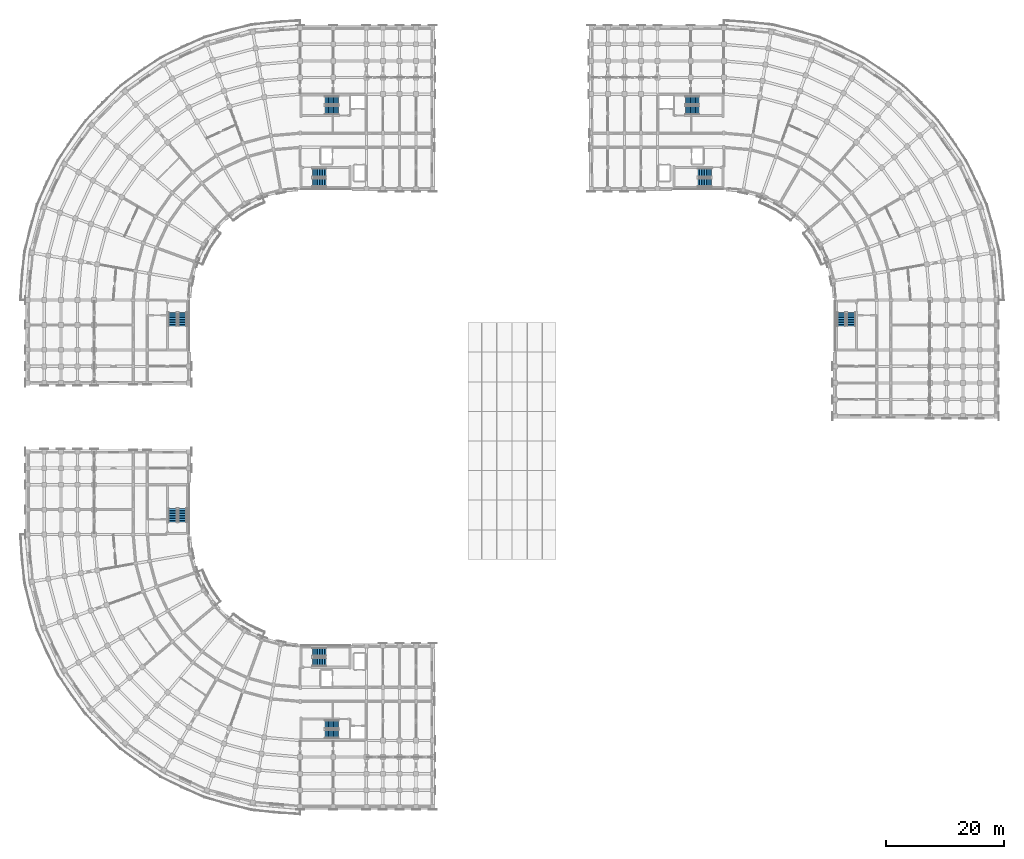
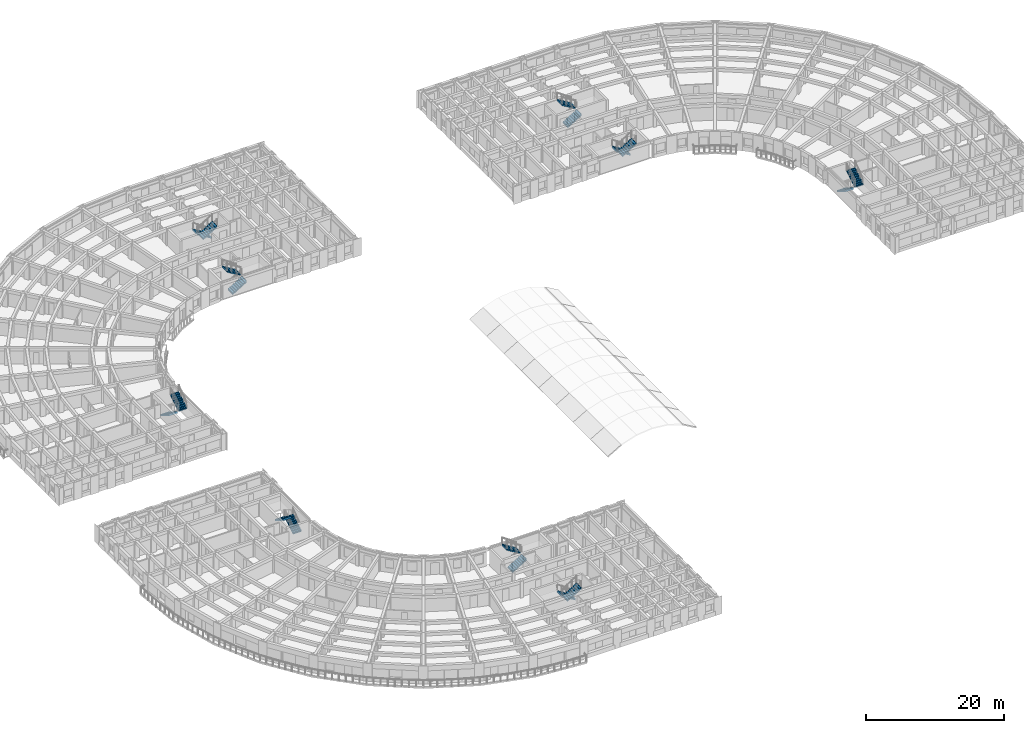
# One storey, part 37 of 54: 18 stair flights, 9 elements without a shape of their own.
"""IFC4 building model written with IfcOpenShell, lengths in metres."""

from ifc_helpers import new_model, si_unit, direction, frame, origin, place, context, subcontext, project, spatial, polyline, outline, extrude, material, type_object, element, aggregate, save


model = new_model("IFC4")

# Units and contexts
model_context = context("Model", 3, precision=1e-05, world=origin(), true_north=direction((0.0, 1.0)))
body_context = subcontext(model_context, "Body", "Model", "MODEL_VIEW")
ifc_project = project(units=[si_unit("LENGTHUNIT", "METRE"), si_unit("AREAUNIT", "SQUARE_METRE"), si_unit("VOLUMEUNIT", "CUBIC_METRE"), si_unit("PLANEANGLEUNIT", "RADIAN"), si_unit("MASSUNIT", "GRAM", prefix="KILO")], contexts=[model_context])

# Site, building, storey
site_placement = place(None, origin())
site = spatial("IfcSite", under=ifc_project, at=site_placement, CompositionType="ELEMENT")
building_placement = place(site_placement, origin())
building = spatial("IfcBuilding", under=site, at=building_placement, Name="Kiranvali Square Residences", CompositionType="ELEMENT")
storey_placement = place(building_placement, frame((0.0, 0.0, 15.0)))
storey = spatial("IfcBuildingStorey", under=building, at=storey_placement, Name="L04", CompositionType="ELEMENT", Elevation=15.0)

# Stair, stair flights
ifc_material = material(Name="Concrete M35 (35 MPa)", Category="concrete")
stair_type = type_object("IfcStairType", Name="ST-CORE-1700", PredefinedType="HALF_TURN_STAIR", material=ifc_material)
stair_1_placement = place(storey_placement, origin())
stair_1 = element("IfcStair", 1, at=stair_1_placement, inside=storey, type_object=stair_type, Name="L04 Block A Firefighting Exit Stair 1", PredefinedType="HALF_TURN_STAIR")
stair_flight_type = type_object("IfcStairFlightType", Name="STF-1700", PredefinedType="STRAIGHT", material=ifc_material)
stair_flight_1_placement = place(storey_placement, frame((54.699951171875, 121.52490234375, 0.0), z_axis=(0.0, 0.0, 1.0), x_axis=(-1.0, 0.0, 0.0)))
stair_flight_1 = element("IfcStairFlight", 2, at=stair_flight_1_placement, type_object=stair_flight_type, Name="ST-A1 flight 1", NumberOfRisers=9, NumberOfTreads=8, PredefinedType="STRAIGHT", RiserHeight=0.175, TreadLength=0.285, context=body_context, shape_type="SweptSolid", body=[
    extrude(outline(polyline([(-0.02001953125, -0.14990234375), (-0.02001953125, 0.0), (0.0, 0.0), (0.0, 0.175048828125), (0.284912109375, 0.175048828125), (0.284912109375, 0.35009765625), (0.570068359375, 0.35009765625), (0.570068359375, 0.52490234375), (0.85498046875, 0.52490234375), (0.85498046875, 0.699951171875), (1.139892578125, 0.699951171875), (1.139892578125, 0.875), (1.425048828125, 0.875), (1.425048828125, 1.050048828125), (1.7099609375, 1.050048828125), (1.7099609375, 1.22509765625), (1.9951171875, 1.22509765625), (1.9951171875, 1.39990234375), (2.280029296875, 1.39990234375), (2.280029296875, 1.574951171875), (2.300048828125, 1.574951171875), (2.300048828125, 1.22412109375), (2.280029296875, 1.22412109375), (0.0, -0.14990234375), (-0.02001953125, -0.14990234375)])), frame((0.0, 0.72509765625, 0.0), z_axis=(0.0, -1.0, 0.0), x_axis=(1.0, 0.0, 0.0)), (0.0, 0.0, 1.0), 1.449951171875),
])
stair_flight_2_placement = place(storey_placement, frame((52.419921875, 119.875, 1.574951171875), z_axis=(0.0, 0.0, 1.0), x_axis=(1.0, 0.0, 0.0)))
stair_flight_2 = element("IfcStairFlight", 3, at=stair_flight_2_placement, type_object=stair_flight_type, Name="ST-A1 flight 2", NumberOfRisers=9, NumberOfTreads=8, PredefinedType="STRAIGHT", RiserHeight=0.175, TreadLength=0.285, context=body_context, shape_type="SweptSolid", body=[
    extrude(outline(polyline([(-0.02001953125, -0.14990234375), (-0.02001953125, 0.0), (0.0, 0.0), (0.0, 0.175048828125), (0.284912109375, 0.175048828125), (0.284912109375, 0.35009765625), (0.570068359375, 0.35009765625), (0.570068359375, 0.52490234375), (0.85498046875, 0.52490234375), (0.85498046875, 0.699951171875), (1.139892578125, 0.699951171875), (1.139892578125, 0.875), (1.425048828125, 0.875), (1.425048828125, 1.050048828125), (1.7099609375, 1.050048828125), (1.7099609375, 1.22509765625), (1.9951171875, 1.22509765625), (1.9951171875, 1.39990234375), (2.280029296875, 1.39990234375), (2.280029296875, 1.574951171875), (2.300048828125, 1.574951171875), (2.300048828125, 1.22412109375), (2.280029296875, 1.22412109375), (0.0, -0.14990234375), (-0.02001953125, -0.14990234375)])), frame((0.0, 0.72509765625, 0.0), z_axis=(0.0, -1.0, 0.0), x_axis=(1.0, 0.0, 0.0)), (0.0, 0.0, 1.0), 1.449951171875),
])
aggregate(stair_1, [stair_flight_1, stair_flight_2])

stair_2_placement = place(storey_placement, origin())
stair_2 = element("IfcStair", 4, at=stair_2_placement, inside=storey, type_object=stair_type, Name="L04 Block A Protected Exit Stair 2", PredefinedType="HALF_TURN_STAIR")
stair_flight_3_placement = place(storey_placement, frame((50.300048828125, 107.675048828125, 0.0), z_axis=(0.0, 0.0, 1.0), x_axis=(1.0, 0.0, 0.0)))
stair_flight_3 = element("IfcStairFlight", 5, at=stair_flight_3_placement, type_object=stair_flight_type, Name="ST-A2 flight 1", NumberOfRisers=9, NumberOfTreads=8, PredefinedType="STRAIGHT", RiserHeight=0.175, TreadLength=0.285, context=body_context, shape_type="SweptSolid", body=[
    extrude(outline(polyline([(-0.02001953125, -0.14990234375), (-0.02001953125, 0.0), (0.0, 0.0), (0.0, 0.175048828125), (0.284912109375, 0.175048828125), (0.284912109375, 0.35009765625), (0.570068359375, 0.35009765625), (0.570068359375, 0.52490234375), (0.85498046875, 0.52490234375), (0.85498046875, 0.699951171875), (1.139892578125, 0.699951171875), (1.139892578125, 0.875), (1.425048828125, 0.875), (1.425048828125, 1.050048828125), (1.7099609375, 1.050048828125), (1.7099609375, 1.22509765625), (1.9951171875, 1.22509765625), (1.9951171875, 1.39990234375), (2.280029296875, 1.39990234375), (2.280029296875, 1.574951171875), (2.300048828125, 1.574951171875), (2.300048828125, 1.22412109375), (2.280029296875, 1.22412109375), (0.0, -0.14990234375), (-0.02001953125, -0.14990234375)])), frame((0.0, 0.72509765625, 0.0), z_axis=(0.0, -1.0, 0.0), x_axis=(1.0, 0.0, 0.0)), (0.0, 0.0, 1.0), 1.449951171875),
])
stair_flight_4_placement = place(storey_placement, frame((52.580078125, 109.324951171875, 1.574951171875), z_axis=(0.0, 0.0, 1.0), x_axis=(-1.0, 0.0, 0.0)))
stair_flight_4 = element("IfcStairFlight", 6, at=stair_flight_4_placement, type_object=stair_flight_type, Name="ST-A2 flight 2", NumberOfRisers=9, NumberOfTreads=8, PredefinedType="STRAIGHT", RiserHeight=0.175, TreadLength=0.285, context=body_context, shape_type="SweptSolid", body=[
    extrude(outline(polyline([(-0.02001953125, -0.14990234375), (-0.02001953125, 0.0), (0.0, 0.0), (0.0, 0.175048828125), (0.284912109375, 0.175048828125), (0.284912109375, 0.35009765625), (0.570068359375, 0.35009765625), (0.570068359375, 0.52490234375), (0.85498046875, 0.52490234375), (0.85498046875, 0.699951171875), (1.139892578125, 0.699951171875), (1.139892578125, 0.875), (1.425048828125, 0.875), (1.425048828125, 1.050048828125), (1.7099609375, 1.050048828125), (1.7099609375, 1.22509765625), (1.9951171875, 1.22509765625), (1.9951171875, 1.39990234375), (2.280029296875, 1.39990234375), (2.280029296875, 1.574951171875), (2.300048828125, 1.574951171875), (2.300048828125, 1.22412109375), (2.280029296875, 1.22412109375), (0.0, -0.14990234375), (-0.02001953125, -0.14990234375)])), frame((0.0, 0.72509765625, 0.0), z_axis=(0.0, -1.0, 0.0), x_axis=(1.0, 0.0, 0.0)), (0.0, 0.0, 1.0), 1.449951171875),
])
aggregate(stair_2, [stair_flight_3, stair_flight_4])

stair_3_placement = place(storey_placement, origin())
stair_3 = element("IfcStair", 7, at=stair_3_placement, inside=storey, type_object=stair_type, Name="L04 Block A Wing Protected Exit Stair 3", PredefinedType="HALF_TURN_STAIR")
stair_flight_5_placement = place(storey_placement, frame((26.675048828125, 85.699951171875, 0.0), z_axis=(0.0, 0.0, 1.0), x_axis=(0.0, -1.0, 0.0)))
stair_flight_5 = element("IfcStairFlight", 8, at=stair_flight_5_placement, type_object=stair_flight_type, Name="ST-A3 flight 1", NumberOfRisers=9, NumberOfTreads=8, PredefinedType="STRAIGHT", RiserHeight=0.175, TreadLength=0.285, context=body_context, shape_type="SweptSolid", body=[
    extrude(outline(polyline([(-0.02001953125, -0.14990234375), (-0.02001953125, 0.0), (0.0, 0.0), (0.0, 0.175048828125), (0.284912109375, 0.175048828125), (0.284912109375, 0.35009765625), (0.570068359375, 0.35009765625), (0.570068359375, 0.52490234375), (0.85498046875, 0.52490234375), (0.85498046875, 0.699951171875), (1.139892578125, 0.699951171875), (1.139892578125, 0.875), (1.425048828125, 0.875), (1.425048828125, 1.050048828125), (1.7099609375, 1.050048828125), (1.7099609375, 1.22509765625), (1.9951171875, 1.22509765625), (1.9951171875, 1.39990234375), (2.280029296875, 1.39990234375), (2.280029296875, 1.574951171875), (2.300048828125, 1.574951171875), (2.300048828125, 1.22412109375), (2.280029296875, 1.22412109375), (0.0, -0.14990234375), (-0.02001953125, -0.14990234375)])), frame((0.0, 0.72509765625, 0.0), z_axis=(0.0, -1.0, 0.0), x_axis=(1.0, 0.0, 0.0)), (0.0, 0.0, 1.0), 1.449951171875),
])
stair_flight_6_placement = place(storey_placement, frame((28.324951171875, 83.419921875, 1.574951171875), z_axis=(0.0, 0.0, 1.0), x_axis=(0.0, 1.0, 0.0)))
stair_flight_6 = element("IfcStairFlight", 9, at=stair_flight_6_placement, type_object=stair_flight_type, Name="ST-A3 flight 2", NumberOfRisers=9, NumberOfTreads=8, PredefinedType="STRAIGHT", RiserHeight=0.175, TreadLength=0.285, context=body_context, shape_type="SweptSolid", body=[
    extrude(outline(polyline([(-0.02001953125, -0.14990234375), (-0.02001953125, 0.0), (0.0, 0.0), (0.0, 0.175048828125), (0.284912109375, 0.175048828125), (0.284912109375, 0.35009765625), (0.570068359375, 0.35009765625), (0.570068359375, 0.52490234375), (0.85498046875, 0.52490234375), (0.85498046875, 0.699951171875), (1.139892578125, 0.699951171875), (1.139892578125, 0.875), (1.425048828125, 0.875), (1.425048828125, 1.050048828125), (1.7099609375, 1.050048828125), (1.7099609375, 1.22509765625), (1.9951171875, 1.22509765625), (1.9951171875, 1.39990234375), (2.280029296875, 1.39990234375), (2.280029296875, 1.574951171875), (2.300048828125, 1.574951171875), (2.300048828125, 1.22412109375), (2.280029296875, 1.22412109375), (0.0, -0.14990234375), (-0.02001953125, -0.14990234375)])), frame((0.0, 0.72509765625, 0.0), z_axis=(0.0, -1.0, 0.0), x_axis=(1.0, 0.0, 0.0)), (0.0, 0.0, 1.0), 1.449951171875),
])
aggregate(stair_3, [stair_flight_5, stair_flight_6])

stair_4_placement = place(storey_placement, origin())
stair_4 = element("IfcStair", 10, at=stair_4_placement, inside=storey, type_object=stair_type, Name="L04 Block B Firefighting Exit Stair 1", PredefinedType="HALF_TURN_STAIR")
stair_flight_7_placement = place(storey_placement, frame((113.300048828125, 119.875, 0.0), z_axis=(0.0, 0.0, 1.0), x_axis=(1.0, 0.0, 0.0)))
stair_flight_7 = element("IfcStairFlight", 11, at=stair_flight_7_placement, type_object=stair_flight_type, Name="ST-B1 flight 1", NumberOfRisers=9, NumberOfTreads=8, PredefinedType="STRAIGHT", RiserHeight=0.175, TreadLength=0.285, context=body_context, shape_type="SweptSolid", body=[
    extrude(outline(polyline([(-0.02001953125, -0.14990234375), (-0.02001953125, 0.0), (0.0, 0.0), (0.0, 0.175048828125), (0.284912109375, 0.175048828125), (0.284912109375, 0.35009765625), (0.570068359375, 0.35009765625), (0.570068359375, 0.52490234375), (0.85498046875, 0.52490234375), (0.85498046875, 0.699951171875), (1.139892578125, 0.699951171875), (1.139892578125, 0.875), (1.425048828125, 0.875), (1.425048828125, 1.050048828125), (1.7099609375, 1.050048828125), (1.7099609375, 1.22509765625), (1.9951171875, 1.22509765625), (1.9951171875, 1.39990234375), (2.280029296875, 1.39990234375), (2.280029296875, 1.574951171875), (2.300048828125, 1.574951171875), (2.300048828125, 1.22412109375), (2.280029296875, 1.22412109375), (0.0, -0.14990234375), (-0.02001953125, -0.14990234375)])), frame((0.0, 0.72509765625, 0.0), z_axis=(0.0, -1.0, 0.0), x_axis=(1.0, 0.0, 0.0)), (0.0, 0.0, 1.0), 1.449951171875),
])
stair_flight_8_placement = place(storey_placement, frame((115.580078125, 121.52490234375, 1.574951171875), z_axis=(0.0, 0.0, 1.0), x_axis=(-1.0, 0.0, 0.0)))
stair_flight_8 = element("IfcStairFlight", 12, at=stair_flight_8_placement, type_object=stair_flight_type, Name="ST-B1 flight 2", NumberOfRisers=9, NumberOfTreads=8, PredefinedType="STRAIGHT", RiserHeight=0.175, TreadLength=0.285, context=body_context, shape_type="SweptSolid", body=[
    extrude(outline(polyline([(-0.02001953125, -0.14990234375), (-0.02001953125, 0.0), (0.0, 0.0), (0.0, 0.175048828125), (0.284912109375, 0.175048828125), (0.284912109375, 0.35009765625), (0.570068359375, 0.35009765625), (0.570068359375, 0.52490234375), (0.85498046875, 0.52490234375), (0.85498046875, 0.699951171875), (1.139892578125, 0.699951171875), (1.139892578125, 0.875), (1.425048828125, 0.875), (1.425048828125, 1.050048828125), (1.7099609375, 1.050048828125), (1.7099609375, 1.22509765625), (1.9951171875, 1.22509765625), (1.9951171875, 1.39990234375), (2.280029296875, 1.39990234375), (2.280029296875, 1.574951171875), (2.300048828125, 1.574951171875), (2.300048828125, 1.22412109375), (2.280029296875, 1.22412109375), (0.0, -0.14990234375), (-0.02001953125, -0.14990234375)])), frame((0.0, 0.72509765625, 0.0), z_axis=(0.0, -1.0, 0.0), x_axis=(1.0, 0.0, 0.0)), (0.0, 0.0, 1.0), 1.449951171875),
])
aggregate(stair_4, [stair_flight_7, stair_flight_8])

stair_5_placement = place(storey_placement, origin())
stair_5 = element("IfcStair", 13, at=stair_5_placement, inside=storey, type_object=stair_type, Name="L04 Block B Protected Exit Stair 2", PredefinedType="HALF_TURN_STAIR")
stair_flight_9_placement = place(storey_placement, frame((117.699951171875, 109.324951171875, 0.0), z_axis=(0.0, 0.0, 1.0), x_axis=(-1.0, 0.0, 0.0)))
stair_flight_9 = element("IfcStairFlight", 14, at=stair_flight_9_placement, type_object=stair_flight_type, Name="ST-B2 flight 1", NumberOfRisers=9, NumberOfTreads=8, PredefinedType="STRAIGHT", RiserHeight=0.175, TreadLength=0.285, context=body_context, shape_type="SweptSolid", body=[
    extrude(outline(polyline([(-0.02001953125, -0.14990234375), (-0.02001953125, 0.0), (0.0, 0.0), (0.0, 0.175048828125), (0.284912109375, 0.175048828125), (0.284912109375, 0.35009765625), (0.570068359375, 0.35009765625), (0.570068359375, 0.52490234375), (0.85498046875, 0.52490234375), (0.85498046875, 0.699951171875), (1.139892578125, 0.699951171875), (1.139892578125, 0.875), (1.425048828125, 0.875), (1.425048828125, 1.050048828125), (1.7099609375, 1.050048828125), (1.7099609375, 1.22509765625), (1.9951171875, 1.22509765625), (1.9951171875, 1.39990234375), (2.280029296875, 1.39990234375), (2.280029296875, 1.574951171875), (2.300048828125, 1.574951171875), (2.300048828125, 1.22412109375), (2.280029296875, 1.22412109375), (0.0, -0.14990234375), (-0.02001953125, -0.14990234375)])), frame((0.0, 0.72509765625, 0.0), z_axis=(0.0, -1.0, 0.0), x_axis=(1.0, 0.0, 0.0)), (0.0, 0.0, 1.0), 1.449951171875),
])
stair_flight_10_placement = place(storey_placement, frame((115.419921875, 107.675048828125, 1.574951171875), z_axis=(0.0, 0.0, 1.0), x_axis=(1.0, 0.0, 0.0)))
stair_flight_10 = element("IfcStairFlight", 15, at=stair_flight_10_placement, type_object=stair_flight_type, Name="ST-B2 flight 2", NumberOfRisers=9, NumberOfTreads=8, PredefinedType="STRAIGHT", RiserHeight=0.175, TreadLength=0.285, context=body_context, shape_type="SweptSolid", body=[
    extrude(outline(polyline([(-0.02001953125, -0.14990234375), (-0.02001953125, 0.0), (0.0, 0.0), (0.0, 0.175048828125), (0.284912109375, 0.175048828125), (0.284912109375, 0.35009765625), (0.570068359375, 0.35009765625), (0.570068359375, 0.52490234375), (0.85498046875, 0.52490234375), (0.85498046875, 0.699951171875), (1.139892578125, 0.699951171875), (1.139892578125, 0.875), (1.425048828125, 0.875), (1.425048828125, 1.050048828125), (1.7099609375, 1.050048828125), (1.7099609375, 1.22509765625), (1.9951171875, 1.22509765625), (1.9951171875, 1.39990234375), (2.280029296875, 1.39990234375), (2.280029296875, 1.574951171875), (2.300048828125, 1.574951171875), (2.300048828125, 1.22412109375), (2.280029296875, 1.22412109375), (0.0, -0.14990234375), (-0.02001953125, -0.14990234375)])), frame((0.0, 0.72509765625, 0.0), z_axis=(0.0, -1.0, 0.0), x_axis=(1.0, 0.0, 0.0)), (0.0, 0.0, 1.0), 1.449951171875),
])
aggregate(stair_5, [stair_flight_9, stair_flight_10])

stair_6_placement = place(storey_placement, origin())
stair_6 = element("IfcStair", 16, at=stair_6_placement, inside=storey, type_object=stair_type, Name="L04 Block B Wing Protected Exit Stair 3", PredefinedType="HALF_TURN_STAIR")
stair_flight_11_placement = place(storey_placement, frame((139.675048828125, 85.699951171875, 0.0), z_axis=(0.0, 0.0, 1.0), x_axis=(0.0, -1.0, 0.0)))
stair_flight_11 = element("IfcStairFlight", 17, at=stair_flight_11_placement, type_object=stair_flight_type, Name="ST-B3 flight 1", NumberOfRisers=9, NumberOfTreads=8, PredefinedType="STRAIGHT", RiserHeight=0.175, TreadLength=0.285, context=body_context, shape_type="SweptSolid", body=[
    extrude(outline(polyline([(-0.02001953125, -0.14990234375), (-0.02001953125, 0.0), (0.0, 0.0), (0.0, 0.175048828125), (0.284912109375, 0.175048828125), (0.284912109375, 0.35009765625), (0.570068359375, 0.35009765625), (0.570068359375, 0.52490234375), (0.85498046875, 0.52490234375), (0.85498046875, 0.699951171875), (1.139892578125, 0.699951171875), (1.139892578125, 0.875), (1.425048828125, 0.875), (1.425048828125, 1.050048828125), (1.7099609375, 1.050048828125), (1.7099609375, 1.22509765625), (1.9951171875, 1.22509765625), (1.9951171875, 1.39990234375), (2.280029296875, 1.39990234375), (2.280029296875, 1.574951171875), (2.300048828125, 1.574951171875), (2.300048828125, 1.22412109375), (2.280029296875, 1.22412109375), (0.0, -0.14990234375), (-0.02001953125, -0.14990234375)])), frame((0.0, 0.72509765625, 0.0), z_axis=(0.0, -1.0, 0.0), x_axis=(1.0, 0.0, 0.0)), (0.0, 0.0, 1.0), 1.449951171875),
])
stair_flight_12_placement = place(storey_placement, frame((141.324951171875, 83.419921875, 1.574951171875), z_axis=(0.0, 0.0, 1.0), x_axis=(0.0, 1.0, 0.0)))
stair_flight_12 = element("IfcStairFlight", 18, at=stair_flight_12_placement, type_object=stair_flight_type, Name="ST-B3 flight 2", NumberOfRisers=9, NumberOfTreads=8, PredefinedType="STRAIGHT", RiserHeight=0.175, TreadLength=0.285, context=body_context, shape_type="SweptSolid", body=[
    extrude(outline(polyline([(-0.02001953125, -0.14990234375), (-0.02001953125, 0.0), (0.0, 0.0), (0.0, 0.175048828125), (0.284912109375, 0.175048828125), (0.284912109375, 0.35009765625), (0.570068359375, 0.35009765625), (0.570068359375, 0.52490234375), (0.85498046875, 0.52490234375), (0.85498046875, 0.699951171875), (1.139892578125, 0.699951171875), (1.139892578125, 0.875), (1.425048828125, 0.875), (1.425048828125, 1.050048828125), (1.7099609375, 1.050048828125), (1.7099609375, 1.22509765625), (1.9951171875, 1.22509765625), (1.9951171875, 1.39990234375), (2.280029296875, 1.39990234375), (2.280029296875, 1.574951171875), (2.300048828125, 1.574951171875), (2.300048828125, 1.22412109375), (2.280029296875, 1.22412109375), (0.0, -0.14990234375), (-0.02001953125, -0.14990234375)])), frame((0.0, 0.72509765625, 0.0), z_axis=(0.0, -1.0, 0.0), x_axis=(1.0, 0.0, 0.0)), (0.0, 0.0, 1.0), 1.449951171875),
])
aggregate(stair_6, [stair_flight_11, stair_flight_12])

stair_7_placement = place(storey_placement, origin())
stair_7 = element("IfcStair", 19, at=stair_7_placement, inside=storey, type_object=stair_type, Name="L04 Block C Firefighting Exit Stair 1", PredefinedType="HALF_TURN_STAIR")
stair_flight_13_placement = place(storey_placement, frame((54.699951171875, 16.125, 0.0), z_axis=(0.0, 0.0, 1.0), x_axis=(-1.0, 0.0, 0.0)))
stair_flight_13 = element("IfcStairFlight", 20, at=stair_flight_13_placement, type_object=stair_flight_type, Name="ST-C1 flight 1", NumberOfRisers=9, NumberOfTreads=8, PredefinedType="STRAIGHT", RiserHeight=0.175, TreadLength=0.285, context=body_context, shape_type="SweptSolid", body=[
    extrude(outline(polyline([(-0.02001953125, -0.14990234375), (-0.02001953125, 0.0), (0.0, 0.0), (0.0, 0.175048828125), (0.284912109375, 0.175048828125), (0.284912109375, 0.35009765625), (0.570068359375, 0.35009765625), (0.570068359375, 0.52490234375), (0.85498046875, 0.52490234375), (0.85498046875, 0.699951171875), (1.139892578125, 0.699951171875), (1.139892578125, 0.875), (1.425048828125, 0.875), (1.425048828125, 1.050048828125), (1.7099609375, 1.050048828125), (1.7099609375, 1.22509765625), (1.9951171875, 1.22509765625), (1.9951171875, 1.39990234375), (2.280029296875, 1.39990234375), (2.280029296875, 1.574951171875), (2.300048828125, 1.574951171875), (2.300048828125, 1.22412109375), (2.280029296875, 1.22412109375), (0.0, -0.14990234375), (-0.02001953125, -0.14990234375)])), frame((0.0, 0.72509765625, 0.0), z_axis=(0.0, -1.0, 0.0), x_axis=(1.0, 0.0, 0.0)), (0.0, 0.0, 1.0), 1.449951171875),
])
stair_flight_14_placement = place(storey_placement, frame((52.419921875, 14.47509765625, 1.574951171875), z_axis=(0.0, 0.0, 1.0), x_axis=(1.0, 0.0, 0.0)))
stair_flight_14 = element("IfcStairFlight", 21, at=stair_flight_14_placement, type_object=stair_flight_type, Name="ST-C1 flight 2", NumberOfRisers=9, NumberOfTreads=8, PredefinedType="STRAIGHT", RiserHeight=0.175, TreadLength=0.285, context=body_context, shape_type="SweptSolid", body=[
    extrude(outline(polyline([(-0.02001953125, -0.14990234375), (-0.02001953125, 0.0), (0.0, 0.0), (0.0, 0.175048828125), (0.284912109375, 0.175048828125), (0.284912109375, 0.35009765625), (0.570068359375, 0.35009765625), (0.570068359375, 0.52490234375), (0.85498046875, 0.52490234375), (0.85498046875, 0.699951171875), (1.139892578125, 0.699951171875), (1.139892578125, 0.875), (1.425048828125, 0.875), (1.425048828125, 1.050048828125), (1.7099609375, 1.050048828125), (1.7099609375, 1.22509765625), (1.9951171875, 1.22509765625), (1.9951171875, 1.39990234375), (2.280029296875, 1.39990234375), (2.280029296875, 1.574951171875), (2.300048828125, 1.574951171875), (2.300048828125, 1.22412109375), (2.280029296875, 1.22412109375), (0.0, -0.14990234375), (-0.02001953125, -0.14990234375)])), frame((0.0, 0.72509765625, 0.0), z_axis=(0.0, -1.0, 0.0), x_axis=(1.0, 0.0, 0.0)), (0.0, 0.0, 1.0), 1.449951171875),
])
aggregate(stair_7, [stair_flight_13, stair_flight_14])

stair_8_placement = place(storey_placement, origin())
stair_8 = element("IfcStair", 22, at=stair_8_placement, inside=storey, type_object=stair_type, Name="L04 Block C Protected Exit Stair 2", PredefinedType="HALF_TURN_STAIR")
stair_flight_15_placement = place(storey_placement, frame((50.300048828125, 26.675048828125, 0.0), z_axis=(0.0, 0.0, 1.0), x_axis=(1.0, 0.0, 0.0)))
stair_flight_15 = element("IfcStairFlight", 23, at=stair_flight_15_placement, type_object=stair_flight_type, Name="ST-C2 flight 1", NumberOfRisers=9, NumberOfTreads=8, PredefinedType="STRAIGHT", RiserHeight=0.175, TreadLength=0.285, context=body_context, shape_type="SweptSolid", body=[
    extrude(outline(polyline([(-0.02001953125, -0.14990234375), (-0.02001953125, 0.0), (0.0, 0.0), (0.0, 0.175048828125), (0.284912109375, 0.175048828125), (0.284912109375, 0.35009765625), (0.570068359375, 0.35009765625), (0.570068359375, 0.52490234375), (0.85498046875, 0.52490234375), (0.85498046875, 0.699951171875), (1.139892578125, 0.699951171875), (1.139892578125, 0.875), (1.425048828125, 0.875), (1.425048828125, 1.050048828125), (1.7099609375, 1.050048828125), (1.7099609375, 1.22509765625), (1.9951171875, 1.22509765625), (1.9951171875, 1.39990234375), (2.280029296875, 1.39990234375), (2.280029296875, 1.574951171875), (2.300048828125, 1.574951171875), (2.300048828125, 1.22412109375), (2.280029296875, 1.22412109375), (0.0, -0.14990234375), (-0.02001953125, -0.14990234375)])), frame((0.0, 0.72509765625, 0.0), z_axis=(0.0, -1.0, 0.0), x_axis=(1.0, 0.0, 0.0)), (0.0, 0.0, 1.0), 1.449951171875),
])
stair_flight_16_placement = place(storey_placement, frame((52.580078125, 28.324951171875, 1.574951171875), z_axis=(0.0, 0.0, 1.0), x_axis=(-1.0, 0.0, 0.0)))
stair_flight_16 = element("IfcStairFlight", 24, at=stair_flight_16_placement, type_object=stair_flight_type, Name="ST-C2 flight 2", NumberOfRisers=9, NumberOfTreads=8, PredefinedType="STRAIGHT", RiserHeight=0.175, TreadLength=0.285, context=body_context, shape_type="SweptSolid", body=[
    extrude(outline(polyline([(-0.02001953125, -0.14990234375), (-0.02001953125, 0.0), (0.0, 0.0), (0.0, 0.175048828125), (0.284912109375, 0.175048828125), (0.284912109375, 0.35009765625), (0.570068359375, 0.35009765625), (0.570068359375, 0.52490234375), (0.85498046875, 0.52490234375), (0.85498046875, 0.699951171875), (1.139892578125, 0.699951171875), (1.139892578125, 0.875), (1.425048828125, 0.875), (1.425048828125, 1.050048828125), (1.7099609375, 1.050048828125), (1.7099609375, 1.22509765625), (1.9951171875, 1.22509765625), (1.9951171875, 1.39990234375), (2.280029296875, 1.39990234375), (2.280029296875, 1.574951171875), (2.300048828125, 1.574951171875), (2.300048828125, 1.22412109375), (2.280029296875, 1.22412109375), (0.0, -0.14990234375), (-0.02001953125, -0.14990234375)])), frame((0.0, 0.72509765625, 0.0), z_axis=(0.0, -1.0, 0.0), x_axis=(1.0, 0.0, 0.0)), (0.0, 0.0, 1.0), 1.449951171875),
])
aggregate(stair_8, [stair_flight_15, stair_flight_16])

stair_9_placement = place(storey_placement, origin())
stair_9 = element("IfcStair", 25, at=stair_9_placement, inside=storey, type_object=stair_type, Name="L04 Block C Wing Protected Exit Stair 3", PredefinedType="HALF_TURN_STAIR")
stair_flight_17_placement = place(storey_placement, frame((28.324951171875, 50.300048828125, 0.0), z_axis=(0.0, 0.0, 1.0), x_axis=(0.0, 1.0, 0.0)))
stair_flight_17 = element("IfcStairFlight", 26, at=stair_flight_17_placement, type_object=stair_flight_type, Name="ST-C3 flight 1", NumberOfRisers=9, NumberOfTreads=8, PredefinedType="STRAIGHT", RiserHeight=0.175, TreadLength=0.285, context=body_context, shape_type="SweptSolid", body=[
    extrude(outline(polyline([(-0.02001953125, -0.14990234375), (-0.02001953125, 0.0), (0.0, 0.0), (0.0, 0.175048828125), (0.284912109375, 0.175048828125), (0.284912109375, 0.35009765625), (0.570068359375, 0.35009765625), (0.570068359375, 0.52490234375), (0.85498046875, 0.52490234375), (0.85498046875, 0.699951171875), (1.139892578125, 0.699951171875), (1.139892578125, 0.875), (1.425048828125, 0.875), (1.425048828125, 1.050048828125), (1.7099609375, 1.050048828125), (1.7099609375, 1.22509765625), (1.9951171875, 1.22509765625), (1.9951171875, 1.39990234375), (2.280029296875, 1.39990234375), (2.280029296875, 1.574951171875), (2.300048828125, 1.574951171875), (2.300048828125, 1.22412109375), (2.280029296875, 1.22412109375), (0.0, -0.14990234375), (-0.02001953125, -0.14990234375)])), frame((0.0, 0.72509765625, 0.0), z_axis=(0.0, -1.0, 0.0), x_axis=(1.0, 0.0, 0.0)), (0.0, 0.0, 1.0), 1.449951171875),
])
stair_flight_18_placement = place(storey_placement, frame((26.675048828125, 52.580078125, 1.574951171875), z_axis=(0.0, 0.0, 1.0), x_axis=(0.0, -1.0, 0.0)))
stair_flight_18 = element("IfcStairFlight", 27, at=stair_flight_18_placement, type_object=stair_flight_type, Name="ST-C3 flight 2", NumberOfRisers=9, NumberOfTreads=8, PredefinedType="STRAIGHT", RiserHeight=0.175, TreadLength=0.285, context=body_context, shape_type="SweptSolid", body=[
    extrude(outline(polyline([(-0.02001953125, -0.14990234375), (-0.02001953125, 0.0), (0.0, 0.0), (0.0, 0.175048828125), (0.284912109375, 0.175048828125), (0.284912109375, 0.35009765625), (0.570068359375, 0.35009765625), (0.570068359375, 0.52490234375), (0.85498046875, 0.52490234375), (0.85498046875, 0.699951171875), (1.139892578125, 0.699951171875), (1.139892578125, 0.875), (1.425048828125, 0.875), (1.425048828125, 1.050048828125), (1.7099609375, 1.050048828125), (1.7099609375, 1.22509765625), (1.9951171875, 1.22509765625), (1.9951171875, 1.39990234375), (2.280029296875, 1.39990234375), (2.280029296875, 1.574951171875), (2.300048828125, 1.574951171875), (2.300048828125, 1.22412109375), (2.280029296875, 1.22412109375), (0.0, -0.14990234375), (-0.02001953125, -0.14990234375)])), frame((0.0, 0.72509765625, 0.0), z_axis=(0.0, -1.0, 0.0), x_axis=(1.0, 0.0, 0.0)), (0.0, 0.0, 1.0), 1.449951171875),
])
aggregate(stair_9, [stair_flight_17, stair_flight_18])

save(model, "model.ifc")
